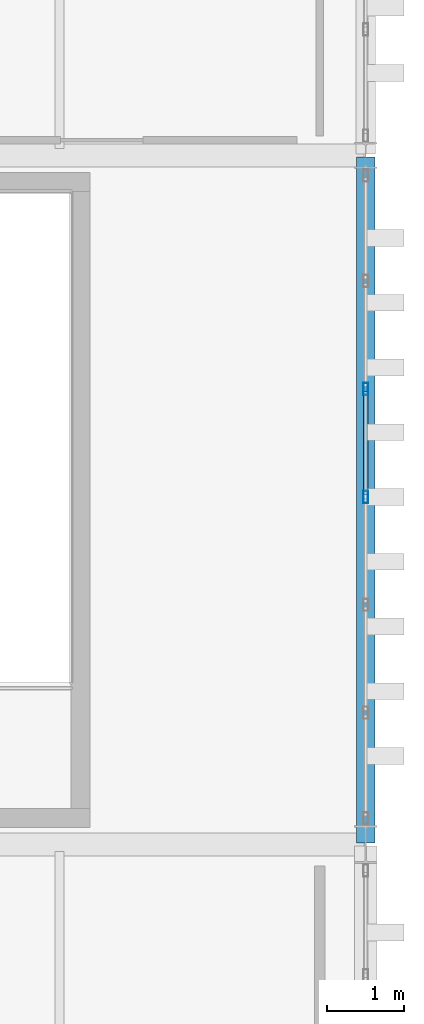
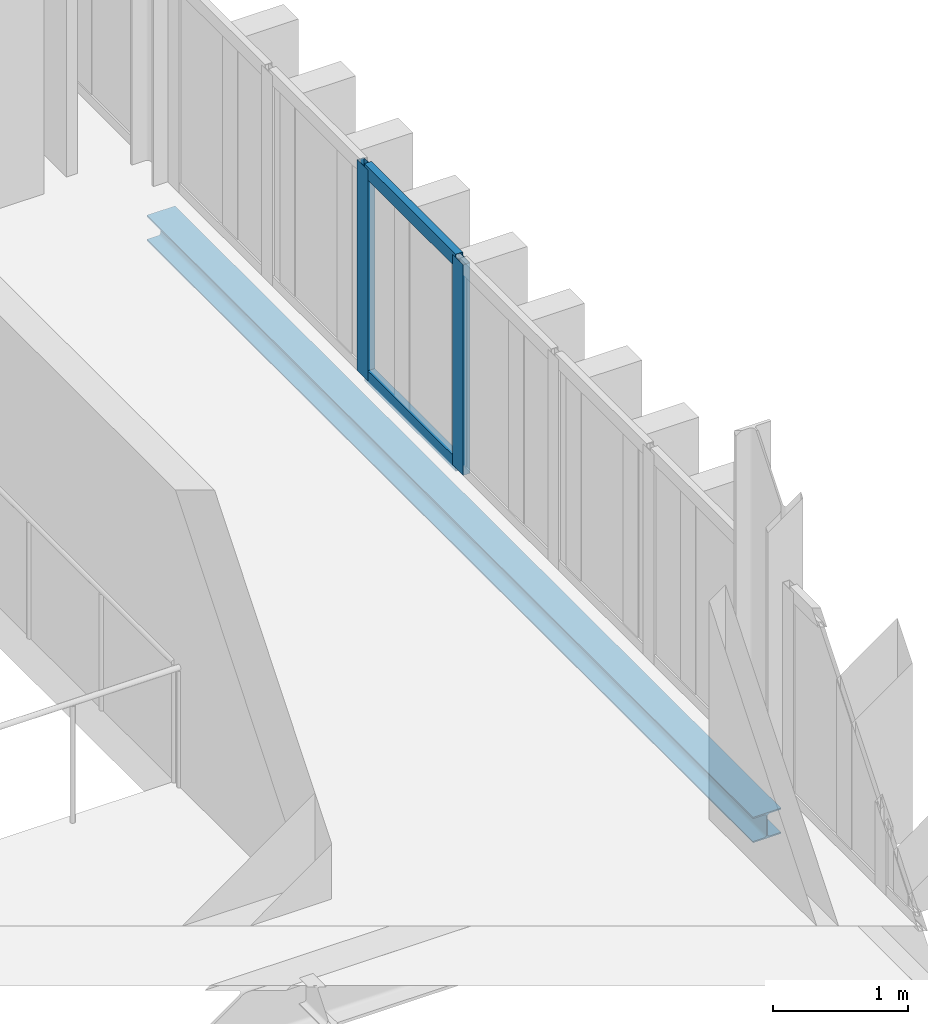
# One storey, part 24 of 58: 4 members, 1 beam, 1 element without a shape of its own.
"""IFC4 building model written with IfcOpenShell, lengths in metres."""

from ifc_helpers import new_model, si_unit, direction, frame, origin, origin_2d, place, context, subcontext, project, spatial, hollow_rectangle, i_section, extrude, material, layer, layer_set, material_profile, profile_set, type_object, element, aggregate, save


model = new_model("IFC4")

# Units and contexts
model_context = context("Model", 3, precision=1e-05, world=origin(), true_north=direction((0.0, 1.0)))
body_context = subcontext(model_context, "Body", "Model", "MODEL_VIEW")
ifc_project = project(units=[si_unit("LENGTHUNIT", "METRE"), si_unit("AREAUNIT", "SQUARE_METRE"), si_unit("VOLUMEUNIT", "CUBIC_METRE"), si_unit("PLANEANGLEUNIT", "RADIAN"), si_unit("MASSUNIT", "GRAM", prefix="KILO")], contexts=[model_context])

# Site, building, storey
site_placement = place(None, origin())
site = spatial("IfcSite", under=ifc_project, at=site_placement, CompositionType="ELEMENT")
building_placement = place(site_placement, origin())
building = spatial("IfcBuilding", under=site, at=building_placement, Name="Barlavento Convention Centre", CompositionType="ELEMENT")
storey_placement = place(building_placement, frame((0.0, 0.0, 26.800048828125)))
storey = spatial("IfcBuildingStorey", under=building, at=storey_placement, Name="L05", CompositionType="ELEMENT", Elevation=26.800048828125)

# Curtain wall, members
ifc_material_1 = material(Name="Powder-coated aluminium and Low-E glass", Category="aluminium")
ifc_layer = layer(ifc_material_1, 0.18994140625)
ifc_layer_set = layer_set([ifc_layer], Name="ARC-CW-CONF-L05")
curtain_wall_type = type_object("IfcCurtainWallType", Name="ARC-CW-CONF-L05", PredefinedType="NOTDEFINED", material=ifc_layer_set)
curtain_wall_placement = place(storey_placement, origin())
curtain_wall = element("IfcCurtainWall", 1, at=curtain_wall_placement, inside=storey, type_object=curtain_wall_type, Name="L05 unitised curtain wall CW10", PredefinedType="NOTDEFINED")
ifc_material_2 = material(Name="Powder-coated aluminium", Category="aluminium")
ifc_material_profile_1 = material_profile(ifc_material_2, hollow_rectangle(XDim=0.06005859375, YDim=0.159912109375, WallThickness=0.00390625, at=origin_2d()), Name="AL-MULL 60x160x4")
ifc_profile_set_1 = profile_set([ifc_material_profile_1], Name="Powder-coated aluminium")
member_type_1 = type_object("IfcMemberType", Name="ARC-CWM-60X160", PredefinedType="MULLION", material=ifc_profile_set_1)
member_1_placement = place(storey_placement, frame((192.0, 58.5400390625, 0.0), z_axis=(0.0, 0.0, 1.0), x_axis=(-1.0, 0.0, 0.0)))
member_1 = element("IfcMember", 2, at=member_1_placement, type_object=member_type_1, Name="CW10 mullion 4", PredefinedType="MULLION", context=body_context, shape_type="SweptSolid", body=[
    extrude(hollow_rectangle(XDim=0.06005859375, YDim=0.159912109375, WallThickness=0.00390625, at=origin_2d()), origin(), (0.0, 0.0, 1.0), 1.89990234375),
])
member_2_placement = place(storey_placement, frame((192.0, 59.949951171875, 0.0), z_axis=(0.0, 0.0, 1.0), x_axis=(-1.0, 0.0, 0.0)))
member_2 = element("IfcMember", 3, at=member_2_placement, type_object=member_type_1, Name="CW10 mullion 5", PredefinedType="MULLION", context=body_context, shape_type="SweptSolid", body=[
    extrude(hollow_rectangle(XDim=0.06005859375, YDim=0.159912109375, WallThickness=0.00390625, at=origin_2d()), origin(), (0.0, 0.0, 1.0), 1.89990234375),
])
ifc_material_profile_2 = material_profile(ifc_material_2, hollow_rectangle(XDim=0.06005859375, YDim=0.1201171875, WallThickness=0.00390625, at=origin_2d()), Name="AL-TRAN 60x120x4")
ifc_profile_set_2 = profile_set([ifc_material_profile_2], Name="Powder-coated aluminium")
member_type_2 = type_object("IfcMemberType", Name="ARC-CWT-60X120", PredefinedType="USERDEFINED", material=ifc_profile_set_2)
member_3_placement = place(storey_placement, frame((192.0, 58.570068359375, 0.030029296875), z_axis=(0.0, 1.0, 0.0), x_axis=(-1.0, 0.0, 0.0)))
member_3 = element("IfcMember", 4, at=member_3_placement, type_object=member_type_2, Name="CW10 transom 4.1", ObjectType="TRANSOM", PredefinedType="USERDEFINED", context=body_context, shape_type="SweptSolid", body=[
    extrude(hollow_rectangle(XDim=0.06005859375, YDim=0.1201171875, WallThickness=0.00390625, at=origin_2d()), origin(), (0.0, 0.0, 1.0), 1.349853515625),
])
member_4_placement = place(storey_placement, frame((192.0, 58.570068359375, 1.869873046875), z_axis=(0.0, 1.0, 0.0), x_axis=(-1.0, 0.0, 0.0)))
member_4 = element("IfcMember", 5, at=member_4_placement, type_object=member_type_2, Name="CW10 transom 4.2", ObjectType="TRANSOM", PredefinedType="USERDEFINED", context=body_context, shape_type="SweptSolid", body=[
    extrude(hollow_rectangle(XDim=0.06005859375, YDim=0.1201171875, WallThickness=0.00390625, at=origin_2d()), origin(), (0.0, 0.0, 1.0), 1.349853515625),
])
aggregate(curtain_wall, [member_1, member_2, member_3, member_4])

# Beam
ifc_material_3 = material(Name="Steel S355", Category="steel")
ifc_material_profile_3 = material_profile(ifc_material_3, i_section(OverallWidth=0.239990234375, OverallDepth=0.22998046875, WebThickness=0.007568359375, FlangeThickness=0.011962890625, FilletRadius=0.02099609375, at=origin_2d()), Name="HEA 240")
ifc_profile_set_3 = profile_set([ifc_material_profile_3], Name="Steel S355")
beam_type = type_object("IfcBeamType", Name="STR-BM-SPN-HEA240", PredefinedType="SPANDREL", material=ifc_profile_set_3)
beam_placement = place(storey_placement, frame((192.0, 54.02001953125, -0.47509765625), z_axis=(0.0, 1.0, 0.0), x_axis=(-1.0, 0.0, 0.0)))
element("IfcBeam", 6, at=beam_placement, inside=storey, type_object=beam_type, Name="L05 grid girder SP05", PredefinedType="SPANDREL", context=body_context, shape_type="SweptSolid", body=[
    extrude(i_section(OverallWidth=0.239990234375, OverallDepth=0.22998046875, WebThickness=0.007568359375, FlangeThickness=0.011962890625, FilletRadius=0.02099609375, at=origin_2d()), origin(), (0.0, 0.0, 1.0), 8.9599609375),
])

save(model, "model.ifc")
